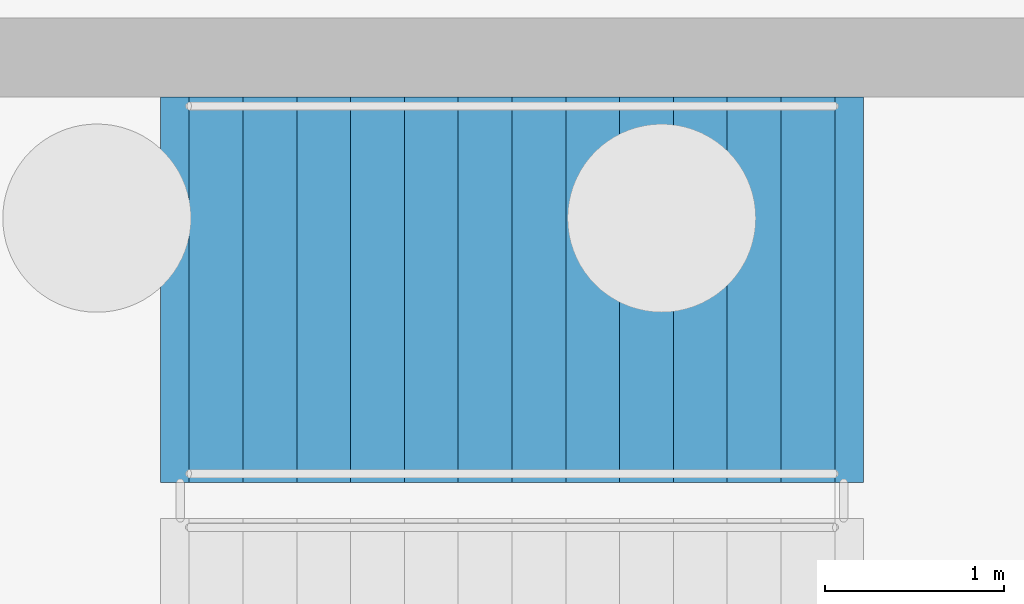
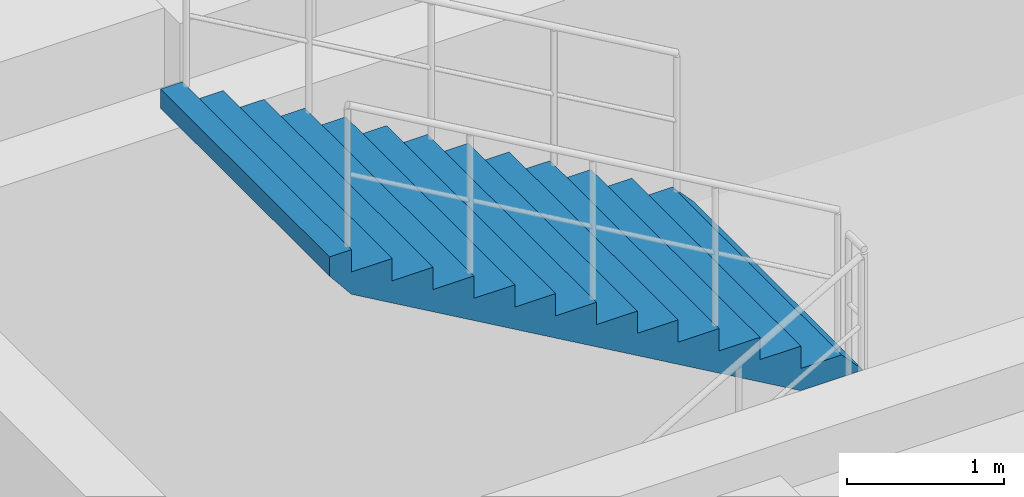
# One storey, part 5 of 8: 1 stair flight, 1 element without a shape of its own.
"""IFC4 building model written with IfcOpenShell, lengths in metres."""

from ifc_helpers import new_model, si_unit, direction, frame, origin, place, context, subcontext, project, spatial, polyline, outline, extrude, material, type_object, element, aggregate, save


model = new_model("IFC4")

# Units and contexts
model_context = context("Model", 3, precision=1e-05, world=origin(), true_north=direction((0.0, 1.0)))
body_context = subcontext(model_context, "Body", "Model", "MODEL_VIEW")
ifc_project = project(units=[si_unit("LENGTHUNIT", "METRE"), si_unit("AREAUNIT", "SQUARE_METRE"), si_unit("VOLUMEUNIT", "CUBIC_METRE"), si_unit("PLANEANGLEUNIT", "RADIAN"), si_unit("MASSUNIT", "GRAM", prefix="KILO")], contexts=[model_context])

# Site, building, storey
site_placement = place(None, origin())
site = spatial("IfcSite", under=ifc_project, at=site_placement, CompositionType="ELEMENT")
building_placement = place(site_placement, origin())
building = spatial("IfcBuilding", under=site, at=building_placement, Name="Solenvale Faculty of Natural Sciences", CompositionType="ELEMENT")
storey_placement = place(building_placement, frame((0.0, 0.0, -9.0)))
storey = spatial("IfcBuildingStorey", under=building, at=storey_placement, Name="B02", CompositionType="ELEMENT", Elevation=-9.0)

# Stair, stair flight
ifc_material = material(Name="Concrete 40 MPa", Category="concrete")
stair_type = type_object("IfcStairType", Name="STR-CORE-25R", PredefinedType="DOUBLE_RETURN_STAIR", material=ifc_material)
stair_placement = place(storey_placement, origin())
stair = element("IfcStair", 1, at=stair_placement, inside=storey, type_object=stair_type, Name="B02 Protected Exit Stair ST-05", PredefinedType="DOUBLE_RETURN_STAIR")
stair_flight_type = type_object("IfcStairFlightType", Name="SFL-RC-25R", PredefinedType="STRAIGHT", material=ifc_material)
stair_flight_placement = place(storey_placement, frame((139.340087890625, 98.22509765625, 2.25), z_axis=(0.0, 0.0, 1.0), x_axis=(-1.0, 0.0, 0.0)))
stair_flight = element("IfcStairFlight", 2, at=stair_flight_placement, type_object=stair_flight_type, Name="ST-05 flight 2", NumberOfRisers=13, NumberOfTreads=12, PredefinedType="STRAIGHT", RiserHeight=0.173076923, TreadLength=0.3, context=body_context, shape_type="SweptSolid", body=[
    extrude(outline(polyline([(-0.159912109375, 0.0), (0.0, 0.173095703125), (0.300048828125, 0.173095703125), (0.300048828125, 0.34619140625), (0.60009765625, 0.34619140625), (0.60009765625, 0.519287109375), (0.89990234375, 0.519287109375), (0.89990234375, 0.6923828125), (1.199951171875, 0.6923828125), (1.199951171875, 0.865478515625), (1.5, 0.865478515625), (1.5, 1.03857421875), (1.800048828125, 1.03857421875), (1.800048828125, 1.21142578125), (2.10009765625, 1.21142578125), (2.10009765625, 1.384521484375), (2.39990234375, 1.384521484375), (2.39990234375, 1.5576171875), (2.699951171875, 1.5576171875), (2.699951171875, 1.730712890625), (3.0, 1.730712890625), (3.0, 1.90380859375), (3.300048828125, 1.90380859375), (3.300048828125, 2.076904296875), (3.60009765625, 2.076904296875), (3.60009765625, 2.25), (3.760009765625, 2.25), (3.760009765625, 2.10009765625), (3.60009765625, 1.90380859375), (0.300048828125, 0.0), (-0.159912109375, 0.0)])), frame((0.0, 1.074951171875, 0.0), z_axis=(0.0, -1.0, 0.0), x_axis=(1.0, 0.0, 0.0)), (0.0, 0.0, 1.0), 2.14990234375),
])
aggregate(stair, [stair_flight])

save(model, "model.ifc")
